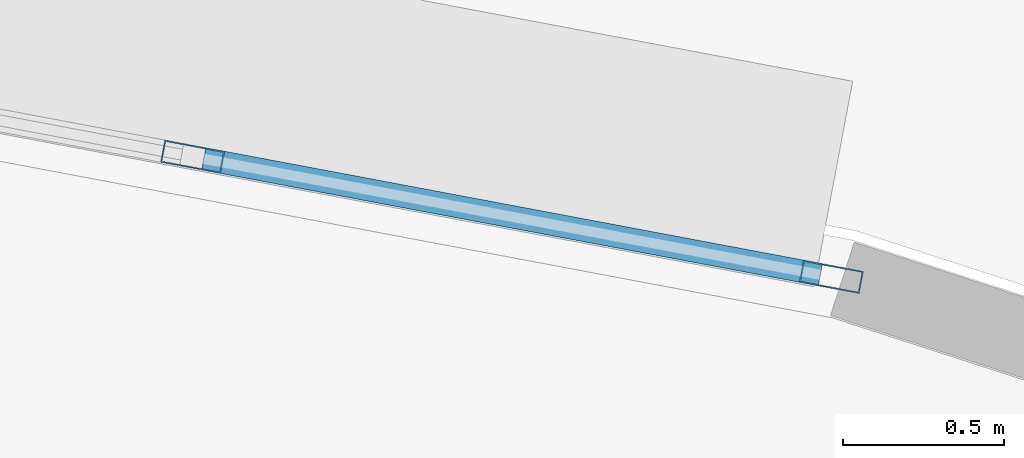
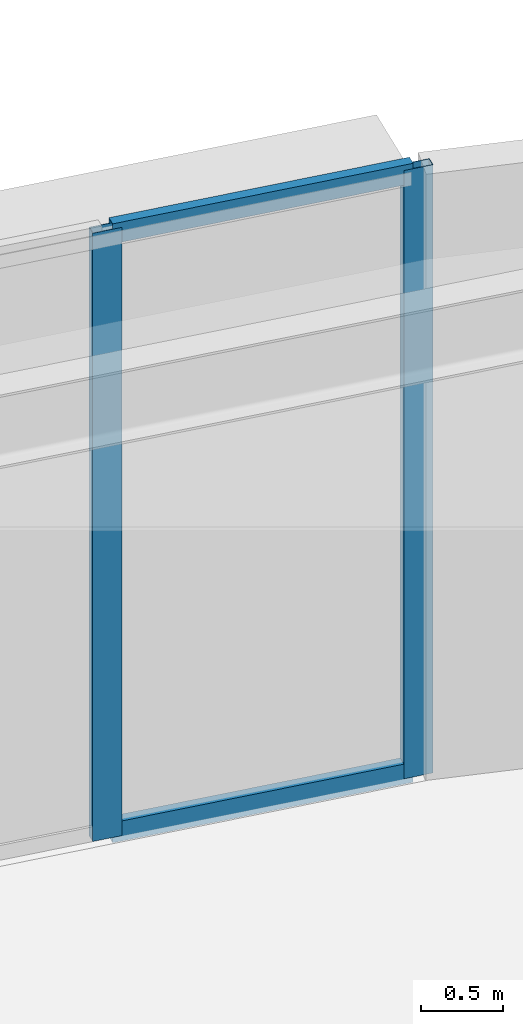
# One storey, part 23 of 38: 4 members, 1 element without a shape of its own.
"""IFC4 building model written with IfcOpenShell, lengths in metres."""

from ifc_helpers import new_model, si_unit, direction, frame, origin, origin_2d, place, context, subcontext, project, spatial, hollow_rectangle, extrude, source, transform, mapped, material, layer, layer_set, material_profile, profile_set, type_object, element, aggregate, save


model = new_model("IFC4")

# Units and contexts
model_context = context("Model", 3, precision=1e-05, world=origin(), true_north=direction((0.0, 1.0)))
body_context = subcontext(model_context, "Body", "Model", "MODEL_VIEW")
ifc_project = project(units=[si_unit("LENGTHUNIT", "METRE"), si_unit("AREAUNIT", "SQUARE_METRE"), si_unit("VOLUMEUNIT", "CUBIC_METRE"), si_unit("PLANEANGLEUNIT", "RADIAN"), si_unit("MASSUNIT", "GRAM", prefix="KILO")], contexts=[model_context])

# Site, building, storey
site_placement = place(None, origin())
site = spatial("IfcSite", under=ifc_project, at=site_placement, CompositionType="ELEMENT")
building_placement = place(site_placement, origin())
building = spatial("IfcBuilding", under=site, at=building_placement, Name="Linh Dai School and Residence Tower", CompositionType="ELEMENT")
storey_placement = place(building_placement, frame((0.0, 0.0, 151.35009765625)))
storey = spatial("IfcBuildingStorey", under=building, at=storey_placement, Name="L36", CompositionType="ELEMENT", Elevation=151.35009765625)

# Curtain wall, members
ifc_material_1 = material(Name="Aluminium Anodised Curtain Wall", Category="aluminium")
ifc_layer = layer(ifc_material_1, 0.18994140625)
ifc_layer_set = layer_set([ifc_layer], Name="Aluminium Anodised Curtain Wall")
curtain_wall_type = type_object("IfcCurtainWallType", Name="CW-SYS-5", PredefinedType="USERDEFINED", material=ifc_layer_set)
curtain_wall_placement = place(storey_placement, origin())
curtain_wall = element("IfcCurtainWall", 1, at=curtain_wall_placement, inside=storey, type_object=curtain_wall_type, Name="L36 CW5 Curtain Wall 09", ObjectType="UNITISED CURTAIN WALL", PredefinedType="USERDEFINED")
ifc_material_2 = material(Name="Aluminium Alloy 6063-T6", Category="aluminium")
ifc_material_profile_1 = material_profile(ifc_material_2, hollow_rectangle(XDim=0.070068359375, YDim=0.18994140625, WallThickness=0.00390625, at=origin_2d()), Name="RHS 190x70x4")
ifc_profile_set_1 = profile_set([ifc_material_profile_1], Name="Aluminium Alloy 6063-T6")
member_type_1 = type_object("IfcMemberType", Name="CW-SYS-5-MUL", PredefinedType="MULLION", material=ifc_profile_set_1)
shared_shape_1 = source(origin(), body_context, "Body", "SweptSolid", [
    extrude(hollow_rectangle(XDim=0.070068359375, YDim=0.18994140625, WallThickness=0.00390625, at=origin_2d()), origin(), (0.0, 0.0, 1.0), 4.5498046875),
])
member_1_placement = place(storey_placement, frame((42.16748046875, 47.0693359375, 0.0), z_axis=(0.0, 0.0, 1.0), x_axis=(0.184762540184, 0.982783192645, 0.0)))
member_1 = element("IfcMember", 2, at=member_1_placement, type_object=member_type_1, Name="CW5 mullion 2", PredefinedType="MULLION", context=body_context, shape_type="MappedRepresentation", body=[
    mapped(shared_shape_1, transform((0.0, 0.0, 0.0), x_axis=(1.0, 0.0, 0.0), y_axis=(0.0, 1.0, 0.0), z_axis=(0.0, 0.0, 1.0), scale=1.0)),
])
member_2_placement = place(storey_placement, frame((44.154541015625, 46.69580078125, 0.0), z_axis=(0.0, 0.0, 1.0), x_axis=(0.184762540184, 0.982783192645, 0.0)))
member_2 = element("IfcMember", 3, at=member_2_placement, type_object=member_type_1, Name="CW5 mullion 3", PredefinedType="MULLION", context=body_context, shape_type="MappedRepresentation", body=[
    mapped(shared_shape_1, transform((0.0, 0.0, 0.0), x_axis=(1.0, 0.0, 0.0), y_axis=(0.0, 1.0, 0.0), z_axis=(0.0, 0.0, 1.0), scale=1.0)),
])
ifc_material_profile_2 = material_profile(ifc_material_2, hollow_rectangle(XDim=0.070068359375, YDim=0.14990234375, WallThickness=0.00390625, at=origin_2d()), Name="RHS 150x70x4")
ifc_profile_set_2 = profile_set([ifc_material_profile_2], Name="Aluminium Alloy 6063-T6")
member_type_2 = type_object("IfcMemberType", Name="CW-SYS-5-TRN", PredefinedType="USERDEFINED", material=ifc_profile_set_2)
shared_shape_2 = source(origin(), body_context, "Body", "SweptSolid", [
    extrude(hollow_rectangle(XDim=0.070068359375, YDim=0.14990234375, WallThickness=0.00390625, at=origin_2d()), origin(), (0.0, 0.0, 1.0), 1.951904296875),
])
member_3_placement = place(storey_placement, frame((42.201904296875, 47.06298828125, 0.034912109375), z_axis=(0.982785700144, -0.184749201873, 0.0), x_axis=(0.184749201873, 0.982785700144, 0.0)))
member_3 = element("IfcMember", 4, at=member_3_placement, type_object=member_type_2, Name="CW5 transom 2.1", ObjectType="TRANSOM", PredefinedType="USERDEFINED", context=body_context, shape_type="MappedRepresentation", body=[
    mapped(shared_shape_2, transform((0.0, 0.0, 0.0), x_axis=(1.0, 0.0, 0.0), y_axis=(0.0, 1.0, 0.0), z_axis=(0.0, 0.0, 1.0), scale=1.0)),
])
member_4_placement = place(storey_placement, frame((42.201904296875, 47.06298828125, 4.514892578125), z_axis=(0.982785700144, -0.184749201873, 0.0), x_axis=(0.184749201873, 0.982785700144, 0.0)))
member_4 = element("IfcMember", 5, at=member_4_placement, type_object=member_type_2, Name="CW5 transom 2.2", ObjectType="TRANSOM", PredefinedType="USERDEFINED", context=body_context, shape_type="MappedRepresentation", body=[
    mapped(shared_shape_2, transform((0.0, 0.0, 0.0), x_axis=(1.0, 0.0, 0.0), y_axis=(0.0, 1.0, 0.0), z_axis=(0.0, 0.0, 1.0), scale=1.0)),
])
aggregate(curtain_wall, [member_1, member_2, member_3, member_4])

save(model, "model.ifc")
